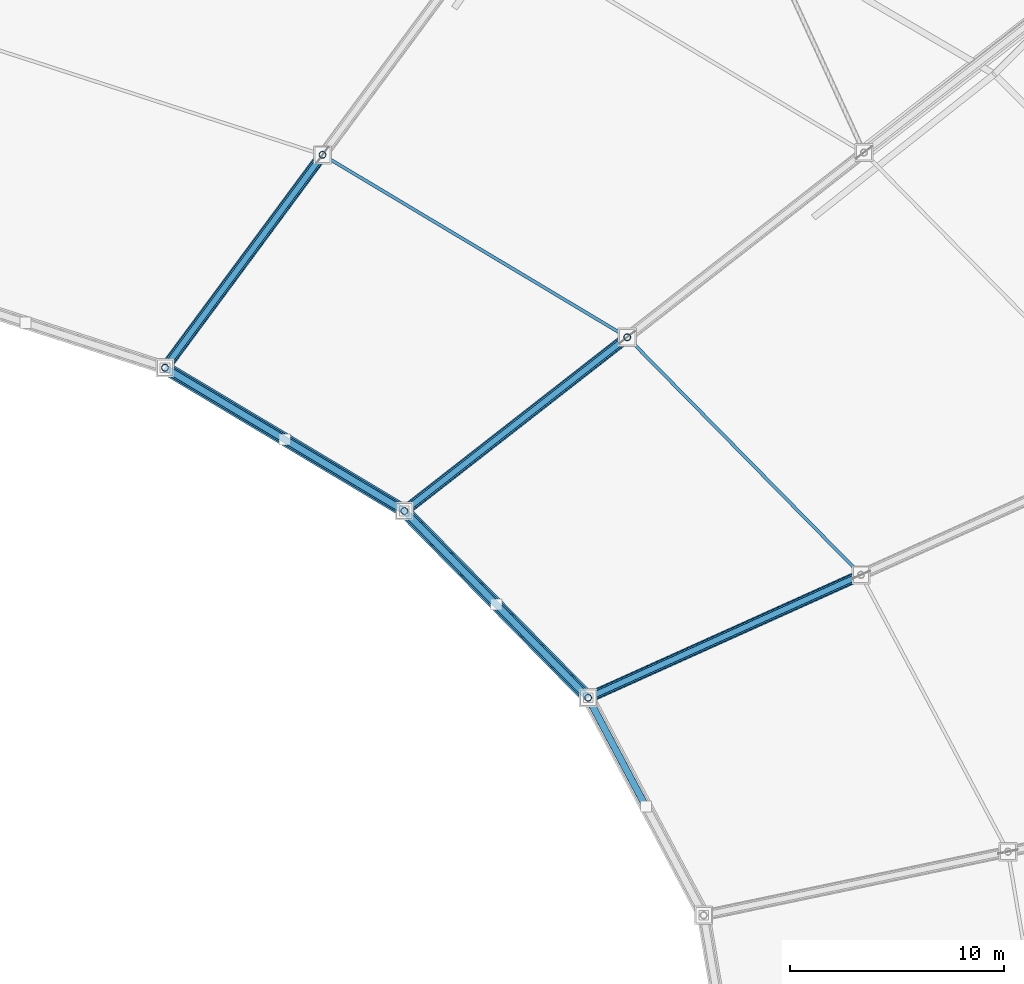
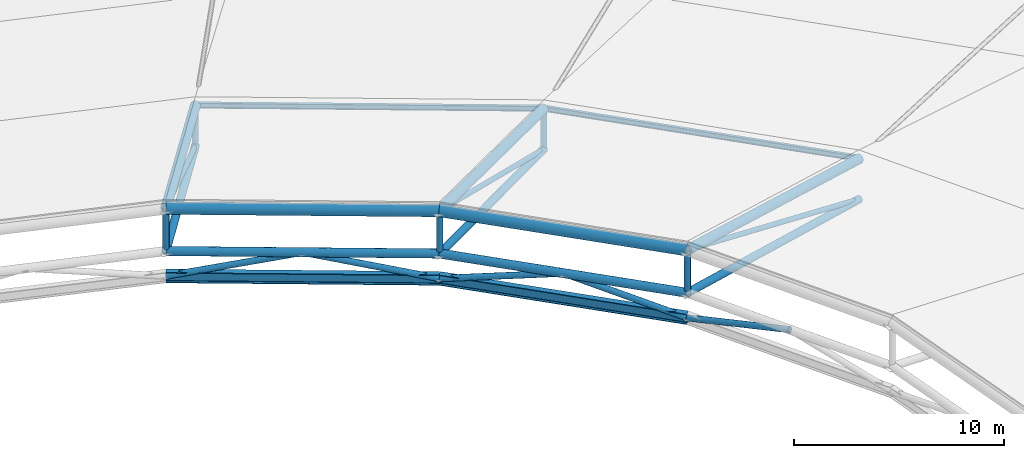
# One storey, part 53 of 115: 25 members, 2 beams.
"""IFC4 building model written with IfcOpenShell, lengths in metres."""

from ifc_helpers import new_model, si_unit, direction, frame, origin, origin_2d, place, context, subcontext, project, spatial, hollow_circle, i_section, extrude, material, material_profile, profile_set, type_object, element, save


model = new_model("IFC4")

# Units and contexts
model_context = context("Model", 3, precision=1e-05, world=origin(), true_north=direction((0.0, 1.0)))
body_context = subcontext(model_context, "Body", "Model", "MODEL_VIEW")
ifc_project = project(units=[si_unit("LENGTHUNIT", "METRE"), si_unit("AREAUNIT", "SQUARE_METRE"), si_unit("VOLUMEUNIT", "CUBIC_METRE"), si_unit("PLANEANGLEUNIT", "RADIAN"), si_unit("MASSUNIT", "GRAM", prefix="KILO")], contexts=[model_context])

# Site, building, storey
site_placement = place(None, origin())
site = spatial("IfcSite", under=ifc_project, at=site_placement, CompositionType="ELEMENT")
building_placement = place(site_placement, origin())
building = spatial("IfcBuilding", under=site, at=building_placement, Name="Zlatoyarsky Gate Stadium", CompositionType="ELEMENT")
storey_placement = place(building_placement, frame((0.0, 0.0, 31.800048828125)))
storey = spatial("IfcBuildingStorey", under=building, at=storey_placement, Name="RF", CompositionType="ELEMENT", Elevation=31.800048828125)

# Members
ifc_material = material(Name="Steel S355", Category="steel")
ifc_material_profile_1 = material_profile(ifc_material, hollow_circle(Radius=0.228515625, WallThickness=0.02490234375, at=origin_2d()), Name="CHS 457X25")
ifc_profile_set_1 = profile_set([ifc_material_profile_1], Name="Steel S355")
member_type_1 = type_object("IfcMemberType", Name="STEEL ARCH BOTTOM CHORD CHS 457X25", PredefinedType="CHORD", material=ifc_profile_set_1)
member_1_placement = place(storey_placement, frame((157.7783203125, 101.0673828125, 6.449951171875), z_axis=(-0.701258917911, 0.712906676957, 0.0), x_axis=(-0.712906676957, -0.701258917911, 0.0)))
element("IfcMember", 1, at=member_1_placement, inside=storey, type_object=member_type_1, Name="Inner tension ring bottom chord 02", PredefinedType="CHORD", context=body_context, shape_type="SweptSolid", body=[
    extrude(hollow_circle(Radius=0.228515625, WallThickness=0.02490234375, at=origin_2d()), origin(), (0.0, 0.0, 1.0), 12.24072265625),
])
member_2_placement = place(storey_placement, frame((149.1943359375, 109.7939453125, 6.449951171875), z_axis=(-0.85803439637, 0.513592226037, 0.0), x_axis=(-0.513592226037, -0.85803439637, 0.0)))
element("IfcMember", 2, at=member_2_placement, inside=storey, type_object=member_type_1, Name="Inner tension ring bottom chord 03", PredefinedType="CHORD", context=body_context, shape_type="SweptSolid", body=[
    extrude(hollow_circle(Radius=0.228515625, WallThickness=0.02490234375, at=origin_2d()), origin(), (0.0, 0.0, 1.0), 13.03759765625),
])
ifc_material_profile_2 = material_profile(ifc_material, hollow_circle(Radius=0.203125, WallThickness=0.02001953125, at=origin_2d()), Name="CHS 406.4X20")
ifc_profile_set_2 = profile_set([ifc_material_profile_2], Name="Steel S355")
member_type_2 = type_object("IfcMemberType", Name="STEEL ARCH INNER CHORD CHS 406.4X20", PredefinedType="CHORD", material=ifc_profile_set_2)
member_3_placement = place(storey_placement, frame((170.52978515625, 106.810302734375, 3.949951171875), z_axis=(-0.897565514488, -0.404239586393, 0.175973020646), x_axis=(0.410647748687, -0.911794070226, 0.0)))
element("IfcMember", 3, at=member_3_placement, inside=storey, type_object=member_type_2, Name="Radial truss R03 bottom chord 3", PredefinedType="CHORD", context=body_context, shape_type="SweptSolid", body=[
    extrude(hollow_circle(Radius=0.203125, WallThickness=0.02001953125, at=origin_2d()), origin(), (0.0, 0.0, 1.0), 14.206787109375),
])
member_4_placement = place(storey_placement, frame((159.605712890625, 117.91552734375, 3.949951171875), z_axis=(-0.774713357375, -0.604329101804, 0.186025671932), x_axis=(0.615065134986, -0.788476302576, 0.0)))
element("IfcMember", 4, at=member_4_placement, inside=storey, type_object=member_type_2, Name="Radial truss R04 bottom chord 3", PredefinedType="CHORD", context=body_context, shape_type="SweptSolid", body=[
    extrude(hollow_circle(Radius=0.203125, WallThickness=0.02001953125, at=origin_2d()), origin(), (0.0, 0.0, 1.0), 13.43896484375),
])
member_5_placement = place(storey_placement, frame((145.369384765625, 126.436767578125, 3.949951171875), z_axis=(-0.583124971914, -0.787878145709, 0.198023469934), x_axis=(0.803795483577, -0.594905724112, 0.0)))
element("IfcMember", 5, at=member_5_placement, inside=storey, type_object=member_type_2, Name="Radial truss R05 bottom chord 3", PredefinedType="CHORD", context=body_context, shape_type="SweptSolid", body=[
    extrude(hollow_circle(Radius=0.203125, WallThickness=0.02001953125, at=origin_2d()), origin(), (0.0, 0.0, 1.0), 12.624755859375),
])
ifc_material_profile_3 = material_profile(ifc_material, hollow_circle(Radius=0.25390625, WallThickness=0.02490234375, at=origin_2d()), Name="CHS 508X25")
ifc_profile_set_3 = profile_set([ifc_material_profile_3], Name="Steel S355")
member_type_3 = type_object("IfcMemberType", Name="STEEL ARCH TOP CHORD CHS 508X25", PredefinedType="CHORD", material=ifc_profile_set_3)
member_6_placement = place(storey_placement, frame((170.52978515625, 106.810302734375, 6.300048828125), z_axis=(-0.895853875894, -0.403468709988, 0.18616882958), x_axis=(0.410647748687, -0.911794070226, 0.0)))
element("IfcMember", 6, at=member_6_placement, inside=storey, type_object=member_type_3, Name="Radial truss R03 top chord 3", PredefinedType="CHORD", context=body_context, shape_type="SweptSolid", body=[
    extrude(hollow_circle(Radius=0.25390625, WallThickness=0.02490234375, at=origin_2d()), origin(), (0.0, 0.0, 1.0), 14.23388671875),
])
member_7_placement = place(storey_placement, frame((159.605712890625, 117.91552734375, 6.300048828125), z_axis=(-0.773062936618, -0.60304166138, 0.196759880738), x_axis=(0.615065134986, -0.788476302576, 0.0)))
element("IfcMember", 7, at=member_7_placement, inside=storey, type_object=member_type_3, Name="Radial truss R04 top chord 3", PredefinedType="CHORD", context=body_context, shape_type="SweptSolid", body=[
    extrude(hollow_circle(Radius=0.25390625, WallThickness=0.02490234375, at=origin_2d()), origin(), (0.0, 0.0, 1.0), 13.4677734375),
])
member_8_placement = place(storey_placement, frame((145.369384765625, 126.436767578125, 6.300048828125), z_axis=(-0.581717893715, -0.785976998931, 0.209390661882), x_axis=(0.803795483577, -0.594905724112, 0.0)))
element("IfcMember", 8, at=member_8_placement, inside=storey, type_object=member_type_3, Name="Radial truss R05 top chord 3", PredefinedType="CHORD", context=body_context, shape_type="SweptSolid", body=[
    extrude(hollow_circle(Radius=0.25390625, WallThickness=0.02490234375, at=origin_2d()), origin(), (0.0, 0.0, 1.0), 12.6552734375),
])
ifc_material_profile_4 = material_profile(ifc_material, i_section(OverallWidth=0.14990234375, OverallDepth=0.300048828125, WebThickness=0.007080078125, FlangeThickness=0.0107421875, FilletRadius=0.014892578125, at=origin_2d()), Name="IPE 300")
ifc_profile_set_4 = profile_set([ifc_material_profile_4], Name="Steel S355")
member_type_4 = type_object("IfcMemberType", Name="STEEL BOWL ROOF PURLIN IPE 300", PredefinedType="PURLIN", material=ifc_profile_set_4)
member_9_placement = place(storey_placement, frame((170.52978515625, 106.810302734375, 6.329833984375), z_axis=(-0.701268357543, 0.712897391431, 0.0), x_axis=(-0.712897391431, -0.701268357543, 0.0)))
element("IfcMember", 9, at=member_9_placement, inside=storey, type_object=member_type_4, Name="Stadium roof purlin 02.2", PredefinedType="PURLIN", context=body_context, shape_type="SweptSolid", body=[
    extrude(i_section(OverallWidth=0.14990234375, OverallDepth=0.300048828125, WebThickness=0.007080078125, FlangeThickness=0.0107421875, FilletRadius=0.014892578125, at=origin_2d()), origin(), (0.0, 0.0, 1.0), 15.57763671875),
])
member_10_placement = place(storey_placement, frame((159.605712890625, 117.91552734375, 6.329833984375), z_axis=(-0.858039046715, 0.513584456844, 0.0), x_axis=(-0.513584456844, -0.858039046715, 0.0)))
element("IfcMember", 10, at=member_10_placement, inside=storey, type_object=member_type_4, Name="Stadium roof purlin 03.2", PredefinedType="PURLIN", context=body_context, shape_type="SweptSolid", body=[
    extrude(i_section(OverallWidth=0.14990234375, OverallDepth=0.300048828125, WebThickness=0.007080078125, FlangeThickness=0.0107421875, FilletRadius=0.014892578125, at=origin_2d()), origin(), (0.0, 0.0, 1.0), 16.591796875),
])

# Beams
ifc_material_profile_5 = material_profile(ifc_material, i_section(OverallWidth=0.300048828125, OverallDepth=0.60009765625, WebThickness=0.015380859375, FlangeThickness=0.030029296875, FilletRadius=0.027099609375, at=origin_2d()), Name="HEB 600")
ifc_profile_set_5 = profile_set([ifc_material_profile_5], Name="Steel S355")
beam_type = type_object("IfcBeamType", Name="STEEL INNER CATWALK RING BEAM HEB 600", PredefinedType="USERDEFINED", material=ifc_profile_set_5)
beam_1_placement = place(storey_placement, frame((157.7783203125, 101.0673828125, 5.0), z_axis=(-0.701258917911, 0.712906676957, 0.0), x_axis=(-0.712906676957, -0.701258917911, 0.0)))
element("IfcBeam", 11, at=beam_1_placement, inside=storey, type_object=beam_type, Name="Inner lighting catwalk ring beam 02", ObjectType="RING BEAM", PredefinedType="USERDEFINED", context=body_context, shape_type="SweptSolid", body=[
    extrude(i_section(OverallWidth=0.300048828125, OverallDepth=0.60009765625, WebThickness=0.015380859375, FlangeThickness=0.030029296875, FilletRadius=0.027099609375, at=origin_2d()), origin(), (0.0, 0.0, 1.0), 12.24072265625),
])
beam_2_placement = place(storey_placement, frame((149.1943359375, 109.7939453125, 5.0), z_axis=(-0.85803439637, 0.513592226037, 0.0), x_axis=(-0.513592226037, -0.85803439637, 0.0)))
element("IfcBeam", 12, at=beam_2_placement, inside=storey, type_object=beam_type, Name="Inner lighting catwalk ring beam 03", ObjectType="RING BEAM", PredefinedType="USERDEFINED", context=body_context, shape_type="SweptSolid", body=[
    extrude(i_section(OverallWidth=0.300048828125, OverallDepth=0.60009765625, WebThickness=0.015380859375, FlangeThickness=0.030029296875, FilletRadius=0.027099609375, at=origin_2d()), origin(), (0.0, 0.0, 1.0), 13.03759765625),
])

# Members
ifc_material_profile_6 = material_profile(ifc_material, hollow_circle(Radius=0.136474609375, WallThickness=0.01611328125, at=origin_2d()), Name="CHS 273X16")
ifc_profile_set_6 = profile_set([ifc_material_profile_6], Name="Steel S355")
member_type_5 = type_object("IfcMemberType", Name="STEEL ROOF TRUSS DIAGONAL CHS 273X16", PredefinedType="BRACE", material=ifc_profile_set_6)
member_11_placement = place(storey_placement, frame((170.52978515625, 106.810302734375, 3.949951171875), z_axis=(-0.858570657818, -0.386677342214, 0.336655697341), x_axis=(0.410647748687, -0.911794070226, 0.0)))
element("IfcMember", 13, at=member_11_placement, inside=storey, type_object=member_type_5, Name="Radial truss R03 web diagonal 3", PredefinedType="BRACE", context=body_context, shape_type="SweptSolid", body=[
    extrude(hollow_circle(Radius=0.136474609375, WallThickness=0.01611328125, at=origin_2d()), origin(), (0.0, 0.0, 1.0), 14.85205078125),
])
member_12_placement = place(storey_placement, frame((159.605712890625, 117.91552734375, 3.949951171875), z_axis=(-0.737382070164, -0.575208159129, 0.354123221877), x_axis=(0.615065134986, -0.788476302576, 0.0)))
element("IfcMember", 14, at=member_12_placement, inside=storey, type_object=member_type_5, Name="Radial truss R04 web diagonal 3", PredefinedType="BRACE", context=body_context, shape_type="SweptSolid", body=[
    extrude(hollow_circle(Radius=0.136474609375, WallThickness=0.01611328125, at=origin_2d()), origin(), (0.0, 0.0, 1.0), 14.119384765625),
])
member_13_placement = place(storey_placement, frame((145.369384765625, 126.436767578125, 3.949951171875), z_axis=(-0.551582773686, -0.745260508241, 0.374624103107), x_axis=(0.803795483577, -0.594905724112, 0.0)))
element("IfcMember", 15, at=member_13_placement, inside=storey, type_object=member_type_5, Name="Radial truss R05 web diagonal 3", PredefinedType="BRACE", context=body_context, shape_type="SweptSolid", body=[
    extrude(hollow_circle(Radius=0.136474609375, WallThickness=0.01611328125, at=origin_2d()), origin(), (0.0, 0.0, 1.0), 13.3466796875),
])
ifc_material_profile_7 = material_profile(ifc_material, hollow_circle(Radius=0.304931640625, WallThickness=0.030029296875, at=origin_2d()), Name="CHS 610X30")
ifc_profile_set_7 = profile_set([ifc_material_profile_7], Name="Steel S355")
member_type_6 = type_object("IfcMemberType", Name="STEEL TENSION RING CHORD CHS 610X30", PredefinedType="CHORD", material=ifc_profile_set_7)
member_14_placement = place(storey_placement, frame((157.7783203125, 101.0673828125, 8.949951171875), z_axis=(-0.701258917911, 0.712906676957, 0.0), x_axis=(-0.712906676957, -0.701258917911, 0.0)))
element("IfcMember", 16, at=member_14_placement, inside=storey, type_object=member_type_6, Name="Inner tension ring top chord 02", PredefinedType="CHORD", context=body_context, shape_type="SweptSolid", body=[
    extrude(hollow_circle(Radius=0.304931640625, WallThickness=0.030029296875, at=origin_2d()), origin(), (0.0, 0.0, 1.0), 12.24072265625),
])
member_15_placement = place(storey_placement, frame((149.1943359375, 109.7939453125, 8.949951171875), z_axis=(-0.85803439637, 0.513592226037, 0.0), x_axis=(-0.513592226037, -0.85803439637, 0.0)))
element("IfcMember", 17, at=member_15_placement, inside=storey, type_object=member_type_6, Name="Inner tension ring top chord 03", PredefinedType="CHORD", context=body_context, shape_type="SweptSolid", body=[
    extrude(hollow_circle(Radius=0.304931640625, WallThickness=0.030029296875, at=origin_2d()), origin(), (0.0, 0.0, 1.0), 13.03759765625),
])
ifc_material_profile_8 = material_profile(ifc_material, hollow_circle(Radius=0.161865234375, WallThickness=0.01611328125, at=origin_2d()), Name="CHS 323.9X16")
ifc_profile_set_8 = profile_set([ifc_material_profile_8], Name="Steel S355")
member_type_7 = type_object("IfcMemberType", Name="STEEL TRUSS WEB STRUT CHS 323.9X16", PredefinedType="STRUT", material=ifc_profile_set_8)
member_16_placement = place(storey_placement, frame((157.7783203125, 101.0673828125, 5.0), z_axis=(0.454756078435, -0.856427789738, 0.244393842171), x_axis=(0.883210208306, 0.468977321353, 0.0)))
element("IfcMember", 18, at=member_16_placement, inside=storey, type_object=member_type_7, Name="Catwalk V-hanger strut 01B", PredefinedType="STRUT", context=body_context, shape_type="SweptSolid", body=[
    extrude(hollow_circle(Radius=0.161865234375, WallThickness=0.01611328125, at=origin_2d()), origin(), (0.0, 0.0, 1.0), 5.932861328125),
])
member_17_placement = place(storey_placement, frame((157.7783203125, 101.0673828125, 6.449951171875), z_axis=(0.0, 0.0, 1.0), x_axis=(1.0, 0.0, 0.0)))
element("IfcMember", 19, at=member_17_placement, inside=storey, type_object=member_type_7, Name="Radial truss R03 web strut 3", PredefinedType="STRUT", context=body_context, shape_type="SweptSolid", body=[
    extrude(hollow_circle(Radius=0.161865234375, WallThickness=0.01611328125, at=origin_2d()), origin(), (0.0, 0.0, 1.0), 2.5),
])
for number, where, z_axis, x_axis, name in (
    (20, (157.7783203125, 101.0673828125, 5.0), (-0.682371718253, 0.693705764996, 0.230523642475), (-0.712906676957, -0.701258917911, 0.0), "Catwalk V-hanger strut 02A"),
    (21, (149.1943359375, 109.7939453125, 5.0), (0.682371718253, -0.693705764996, 0.230523642475), (0.712906676957, 0.701258917911, 0.0), "Catwalk V-hanger strut 02B"),
):
    element("IfcMember", number, at=place(storey_placement, frame(where, z_axis=z_axis, x_axis=x_axis)), inside=storey, type_object=member_type_7, Name=name, PredefinedType="STRUT", context=body_context, shape_type="SweptSolid", body=[
        extrude(hollow_circle(Radius=0.161865234375, WallThickness=0.01611328125, at=origin_2d()), origin(), (0.0, 0.0, 1.0), 6.289794921875),
    ])
member_18_placement = place(storey_placement, frame((159.605712890625, 117.91552734375, 3.949951171875), z_axis=(0.0, 0.0, 1.0), x_axis=(1.0, 0.0, 0.0)))
element("IfcMember", 22, at=member_18_placement, inside=storey, type_object=member_type_7, Name="Radial truss R04 web strut 2", PredefinedType="STRUT", context=body_context, shape_type="SweptSolid", body=[
    extrude(hollow_circle(Radius=0.161865234375, WallThickness=0.01611328125, at=origin_2d()), origin(), (0.0, 0.0, 1.0), 2.35009765625),
])
member_19_placement = place(storey_placement, frame((149.1943359375, 109.7939453125, 6.449951171875), z_axis=(0.0, 0.0, 1.0), x_axis=(1.0, 0.0, 0.0)))
element("IfcMember", 23, at=member_19_placement, inside=storey, type_object=member_type_7, Name="Radial truss R04 web strut 3", PredefinedType="STRUT", context=body_context, shape_type="SweptSolid", body=[
    extrude(hollow_circle(Radius=0.161865234375, WallThickness=0.01611328125, at=origin_2d()), origin(), (0.0, 0.0, 1.0), 2.5),
])
member_20_placement = place(storey_placement, frame((149.1943359375, 109.7939453125, 5.0), z_axis=(-0.837579237404, 0.501319195257, 0.217117676703), x_axis=(-0.513570187575, -0.858047587511, 0.0)))
element("IfcMember", 24, at=member_20_placement, inside=storey, type_object=member_type_7, Name="Catwalk V-hanger strut 03A", PredefinedType="STRUT", context=body_context, shape_type="SweptSolid", body=[
    extrude(hollow_circle(Radius=0.161865234375, WallThickness=0.01611328125, at=origin_2d()), origin(), (0.0, 0.0, 1.0), 6.67822265625),
])
member_21_placement = place(storey_placement, frame((138.007568359375, 116.489990234375, 5.0), z_axis=(0.837552974417, -0.501361915808, 0.217120345485), x_axis=(0.513614264444, 0.858021204493, 0.0)))
element("IfcMember", 25, at=member_21_placement, inside=storey, type_object=member_type_7, Name="Catwalk V-hanger strut 03B", PredefinedType="STRUT", context=body_context, shape_type="SweptSolid", body=[
    extrude(hollow_circle(Radius=0.161865234375, WallThickness=0.01611328125, at=origin_2d()), origin(), (0.0, 0.0, 1.0), 6.677978515625),
])
member_22_placement = place(storey_placement, frame((145.369384765625, 126.436767578125, 3.949951171875), z_axis=(0.0, 0.0, 1.0), x_axis=(1.0, 0.0, 0.0)))
element("IfcMember", 26, at=member_22_placement, inside=storey, type_object=member_type_7, Name="Radial truss R05 web strut 2", PredefinedType="STRUT", context=body_context, shape_type="SweptSolid", body=[
    extrude(hollow_circle(Radius=0.161865234375, WallThickness=0.01611328125, at=origin_2d()), origin(), (0.0, 0.0, 1.0), 2.35009765625),
])
member_23_placement = place(storey_placement, frame((138.007568359375, 116.489990234375, 6.449951171875), z_axis=(0.0, 0.0, 1.0), x_axis=(1.0, 0.0, 0.0)))
element("IfcMember", 27, at=member_23_placement, inside=storey, type_object=member_type_7, Name="Radial truss R05 web strut 3", PredefinedType="STRUT", context=body_context, shape_type="SweptSolid", body=[
    extrude(hollow_circle(Radius=0.161865234375, WallThickness=0.01611328125, at=origin_2d()), origin(), (0.0, 0.0, 1.0), 2.5),
])

save(model, "model.ifc")
